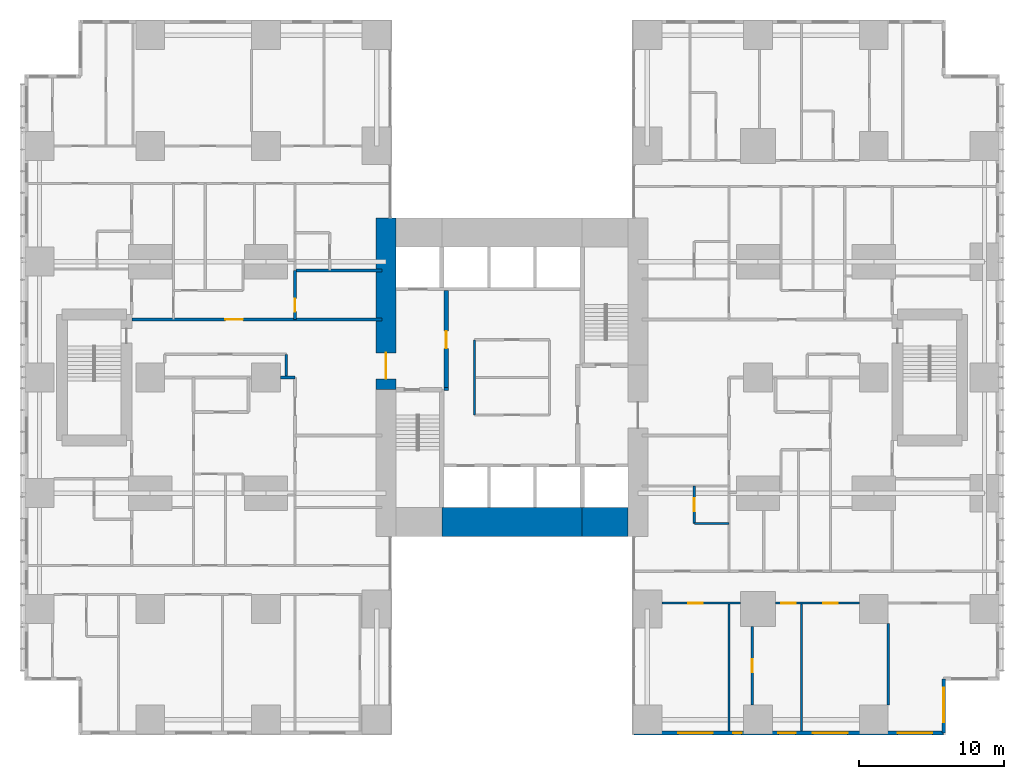
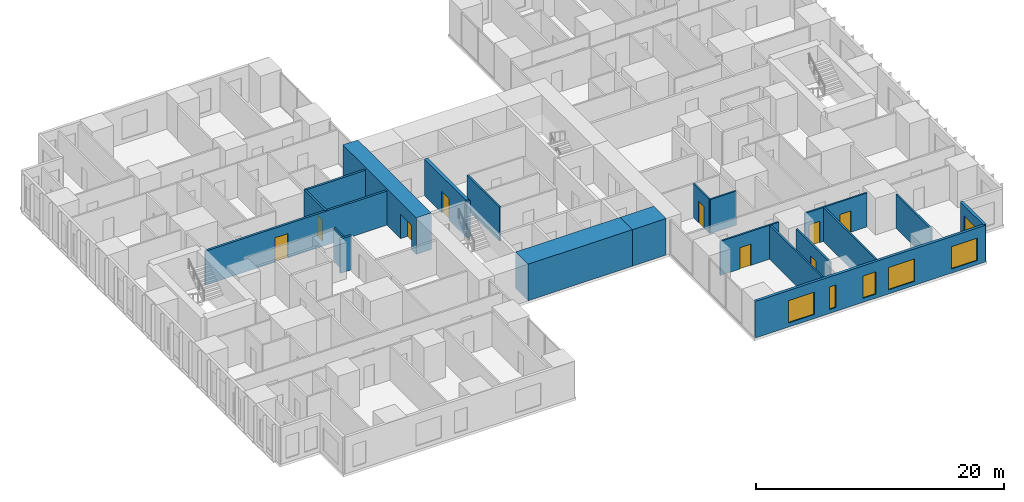
# One storey, part 14 of 20: 21 walls, 9 doors, 6 windows, 15 openings.
"""IFC4 building model written with IfcOpenShell, lengths in metres."""

from ifc_helpers import new_model, si_unit, direction, frame, frame_2d, origin, place, context, subcontext, project, spatial, rectangle, extrude, material, layer, layer_set, type_object, element, fill, save


model = new_model("IFC4")

# Units and contexts
model_context = context("Model", 3, precision=1e-05, world=origin(), true_north=direction((0.0, 1.0)))
body_context = subcontext(model_context, "Body", "Model", "MODEL_VIEW")
ifc_project = project(units=[si_unit("LENGTHUNIT", "METRE"), si_unit("AREAUNIT", "SQUARE_METRE"), si_unit("VOLUMEUNIT", "CUBIC_METRE"), si_unit("PLANEANGLEUNIT", "RADIAN"), si_unit("MASSUNIT", "GRAM", prefix="KILO")], contexts=[model_context])

# Site, building, storey
site_placement = place(None, origin())
site = spatial("IfcSite", under=ifc_project, at=site_placement, CompositionType="ELEMENT")
building_placement = place(site_placement, origin())
building = spatial("IfcBuilding", under=site, at=building_placement, Name="Cleftline Residences", CompositionType="ELEMENT")
storey_placement = place(building_placement, frame((0.0, 0.0, 146.60009765625)))
storey = spatial("IfcBuildingStorey", under=building, at=storey_placement, Name="L38", CompositionType="ELEMENT", Elevation=146.60009765625)

# Wall, opening, door
ifc_material_1 = material(Name="Concrete B70", Category="concrete")
ifc_layer_1 = layer(ifc_material_1, 1.39990234375)
ifc_layer_set_1 = layer_set([ifc_layer_1], Name="CORE WALL 1400")
wall_type_1 = type_object("IfcWallType", Name="CORE WALL 1400", PredefinedType="SHEAR", material=ifc_layer_set_1)
wall_1_placement = place(storey_placement, frame((24.300048828125, 23.14990234375, 0.0), z_axis=(0.0, 0.0, 1.0), x_axis=(0.0, 1.0, 0.0)))
wall_1 = element("IfcWall", 1, at=wall_1_placement, inside=storey, type_object=wall_type_1, Name="Core wall W", PredefinedType="SHEAR", context=body_context, shape_type="SweptSolid", body=[
    extrude(rectangle(XDim=11.85009765625, YDim=1.39990234375, at=frame_2d((5.925048828125, 0.0))), origin(), (0.0, 0.0, 1.0), 3.599853515625),
])
opening_1_placement = place(wall_1_placement, frame((0.75, 0.0, 0.0)))
opening_1 = element("IfcOpeningElement", 2, at=opening_1_placement, cuts=wall_1, Name="Opening D7", PredefinedType="OPENING", context=body_context, shape_type="SweptSolid", body=[
    extrude(rectangle(XDim=1.800048828125, YDim=2.39990234375, at=frame_2d((0.89990234375, 1.199951171875))), frame((0.0, 0.7099609375, 0.0), z_axis=(0.0, -1.0, 0.0), x_axis=(1.0, 0.0, 0.0)), (0.0, 0.0, 1.0), 1.419921875),
])
ifc_material_2 = material(Name="Steel", Category="steel")
door_type_1 = type_object("IfcDoorType", Name="WING DOOR 1800X2400", OperationType="DOUBLE_DOOR_DOUBLE_SWING", PredefinedType="DOOR", material=ifc_material_2)
door_1_placement = place(opening_1_placement, origin())
door_1 = element("IfcDoor", 3, at=door_1_placement, inside=storey, type_object=door_type_1, Name="West wing door", OperationType="DOUBLE_DOOR_DOUBLE_SWING", OverallHeight=2.39990234375, OverallWidth=1.800048828125, PredefinedType="DOOR", context=body_context, shape_type="SweptSolid", body=[
    extrude(rectangle(XDim=1.800048828125, YDim=2.39990234375, at=frame_2d((0.89990234375, 1.199951171875))), frame((0.0, 0.02490234375, 0.0), z_axis=(0.0, -1.0, 0.0), x_axis=(1.0, 0.0, 0.0)), (0.0, 0.0, 1.0), 0.050048828125),
])
fill(opening_1, door_1)

# Walls
ifc_material_3 = material(Name="Concrete B70", Category="concrete")
ifc_layer_2 = layer(ifc_material_3, 2.0)
ifc_layer_set_2 = layer_set([ifc_layer_2], Name="CORE WALL 2000")
wall_type_2 = type_object("IfcWallType", Name="CORE WALL 2000", PredefinedType="SHEAR", material=ifc_layer_set_2)
wall_2_placement = place(storey_placement, frame((28.14990234375, 14.0, 0.0), z_axis=(0.0, 0.0, 1.0), x_axis=(1.0, 0.0, 0.0)))
element("IfcWall", 4, at=wall_2_placement, inside=storey, type_object=wall_type_2, Name="Core wall S2", PredefinedType="SHEAR", context=body_context, shape_type="SweptSolid", body=[
    extrude(rectangle(XDim=9.7001953125, YDim=2.0, at=frame_2d((4.85009765625, 0.0))), origin(), (0.0, 0.0, 1.0), 3.599853515625),
])
wall_3_placement = place(storey_placement, frame((37.85009765625, 14.0, 0.0), z_axis=(0.0, 0.0, 1.0), x_axis=(1.0, 0.0, 0.0)))
element("IfcWall", 5, at=wall_3_placement, inside=storey, type_object=wall_type_2, Name="Core wall S3", PredefinedType="SHEAR", context=body_context, shape_type="SweptSolid", body=[
    extrude(rectangle(XDim=3.14990234375, YDim=2.0, at=frame_2d((1.574951171875, 0.0))), origin(), (0.0, 0.0, 1.0), 3.599853515625),
])

# Wall, openings, windows
ifc_material_4 = material(Name="Rendered reinforced concrete blockwork", Category="masonry")
ifc_layer_3 = layer(ifc_material_4, 0.25)
ifc_layer_set_3 = layer_set([ifc_layer_3], Name="EXTERNAL WALL 250")
wall_type_3 = type_object("IfcWallType", Name="EXTERNAL WALL 250", PredefinedType="SOLIDWALL", material=ifc_layer_set_3)
wall_4_placement = place(storey_placement, frame((41.425048828125, -0.574951171875, 0.0), z_axis=(0.0, 0.0, 1.0), x_axis=(1.0, 0.0, 0.0)))
wall_4 = element("IfcWall", 6, at=wall_4_placement, inside=storey, type_object=wall_type_3, Name="External wall", PredefinedType="SOLIDWALL", context=body_context, shape_type="SweptSolid", body=[
    extrude(rectangle(XDim=21.39990234375, YDim=0.25, at=frame_2d((10.699951171875, 0.0))), origin(), (0.0, 0.0, 1.0), 3.599853515625),
])
opening_2_placement = place(wall_4_placement, frame((3.050048828125, 0.0, 0.39990234375)))
opening_2 = element("IfcOpeningElement", 7, at=opening_2_placement, cuts=wall_4, Name="Opening W12", PredefinedType="OPENING", context=body_context, shape_type="SweptSolid", body=[
    extrude(rectangle(XDim=2.39990234375, YDim=2.199951171875, at=frame_2d((1.199951171875, 1.10009765625))), frame((0.0, 0.135009765625, 0.0), z_axis=(0.0, -1.0, 0.0), x_axis=(1.0, 0.0, 0.0)), (0.0, 0.0, 1.0), 0.27001953125),
])
opening_3_placement = place(wall_4_placement, frame((6.85009765625, 0.0, 0.39990234375)))
opening_3 = element("IfcOpeningElement", 8, at=opening_3_placement, cuts=wall_4, Name="Opening W10", PredefinedType="OPENING", context=body_context, shape_type="SweptSolid", body=[
    extrude(rectangle(XDim=0.60009765625, YDim=2.199951171875, at=frame_2d((0.300048828125, 1.10009765625))), frame((0.0, 0.135009765625, 0.0), z_axis=(0.0, -1.0, 0.0), x_axis=(1.0, 0.0, 0.0)), (0.0, 0.0, 1.0), 0.27001953125),
])
opening_4_placement = place(wall_4_placement, frame((9.97509765625, 0.0, 0.39990234375)))
opening_4 = element("IfcOpeningElement", 9, at=opening_4_placement, cuts=wall_4, Name="Opening W11", PredefinedType="OPENING", context=body_context, shape_type="SweptSolid", body=[
    extrude(rectangle(XDim=1.199951171875, YDim=2.199951171875, at=frame_2d((0.60009765625, 1.10009765625))), frame((0.0, 0.135009765625, 0.0), z_axis=(0.0, -1.0, 0.0), x_axis=(1.0, 0.0, 0.0)), (0.0, 0.0, 1.0), 0.27001953125),
])
opening_5_placement = place(wall_4_placement, frame((12.375, 0.0, 0.39990234375)))
opening_5 = element("IfcOpeningElement", 10, at=opening_5_placement, cuts=wall_4, Name="Opening W12", PredefinedType="OPENING", context=body_context, shape_type="SweptSolid", body=[
    extrude(rectangle(XDim=2.39990234375, YDim=2.199951171875, at=frame_2d((1.199951171875, 1.10009765625))), frame((0.0, 0.135009765625, 0.0), z_axis=(0.0, -1.0, 0.0), x_axis=(1.0, 0.0, 0.0)), (0.0, 0.0, 1.0), 0.27001953125),
])
opening_6_placement = place(wall_4_placement, frame((18.22509765625, 0.0, 0.39990234375)))
opening_6 = element("IfcOpeningElement", 11, at=opening_6_placement, cuts=wall_4, Name="Opening W12", PredefinedType="OPENING", context=body_context, shape_type="SweptSolid", body=[
    extrude(rectangle(XDim=2.39990234375, YDim=2.199951171875, at=frame_2d((1.199951171875, 1.10009765625))), frame((0.0, 0.135009765625, 0.0), z_axis=(0.0, -1.0, 0.0), x_axis=(1.0, 0.0, 0.0)), (0.0, 0.0, 1.0), 0.27001953125),
])
ifc_material_5 = material(Name="Aluminium frame, clear double glazing", Category="aluminium")
window_type_1 = type_object("IfcWindowType", Name="WINDOW 1200X2200", PartitioningType="DOUBLE_PANEL_VERTICAL", PredefinedType="WINDOW", material=ifc_material_5)
window_1_placement = place(opening_4_placement, origin())
window_1 = element("IfcWindow", 12, at=window_1_placement, inside=storey, type_object=window_type_1, Name="Window", OverallHeight=2.199951171875, OverallWidth=1.199951171875, PartitioningType="SINGLE_PANEL", PredefinedType="WINDOW", context=body_context, shape_type="SweptSolid", body=[
    extrude(rectangle(XDim=1.199951171875, YDim=2.199951171875, at=frame_2d((0.60009765625, 1.10009765625))), frame((0.0, 0.030029296875, 0.0), z_axis=(0.0, -1.0, 0.0), x_axis=(1.0, 0.0, 0.0)), (0.0, 0.0, 1.0), 0.06005859375),
])
fill(opening_4, window_1)
ifc_material_6 = material(Name="Aluminium frame, clear double glazing", Category="aluminium")
window_type_2 = type_object("IfcWindowType", Name="WINDOW 2400X2200", PartitioningType="DOUBLE_PANEL_VERTICAL", PredefinedType="WINDOW", material=ifc_material_6)
window_2_placement = place(opening_2_placement, origin())
window_2 = element("IfcWindow", 13, at=window_2_placement, inside=storey, type_object=window_type_2, Name="Window", OverallHeight=2.199951171875, OverallWidth=2.39990234375, PartitioningType="SINGLE_PANEL", PredefinedType="WINDOW", context=body_context, shape_type="SweptSolid", body=[
    extrude(rectangle(XDim=2.39990234375, YDim=2.199951171875, at=frame_2d((1.199951171875, 1.10009765625))), frame((0.0, 0.030029296875, 0.0), z_axis=(0.0, -1.0, 0.0), x_axis=(1.0, 0.0, 0.0)), (0.0, 0.0, 1.0), 0.06005859375),
])
fill(opening_2, window_2)
window_3_placement = place(opening_5_placement, origin())
window_3 = element("IfcWindow", 14, at=window_3_placement, inside=storey, type_object=window_type_2, Name="Window", OverallHeight=2.199951171875, OverallWidth=2.39990234375, PartitioningType="SINGLE_PANEL", PredefinedType="WINDOW", context=body_context, shape_type="SweptSolid", body=[
    extrude(rectangle(XDim=2.39990234375, YDim=2.199951171875, at=frame_2d((1.199951171875, 1.10009765625))), frame((0.0, 0.030029296875, 0.0), z_axis=(0.0, -1.0, 0.0), x_axis=(1.0, 0.0, 0.0)), (0.0, 0.0, 1.0), 0.06005859375),
])
fill(opening_5, window_3)
window_4_placement = place(opening_6_placement, origin())
window_4 = element("IfcWindow", 15, at=window_4_placement, inside=storey, type_object=window_type_2, Name="Window", OverallHeight=2.199951171875, OverallWidth=2.39990234375, PartitioningType="SINGLE_PANEL", PredefinedType="WINDOW", context=body_context, shape_type="SweptSolid", body=[
    extrude(rectangle(XDim=2.39990234375, YDim=2.199951171875, at=frame_2d((1.199951171875, 1.10009765625))), frame((0.0, 0.030029296875, 0.0), z_axis=(0.0, -1.0, 0.0), x_axis=(1.0, 0.0, 0.0)), (0.0, 0.0, 1.0), 0.06005859375),
])
fill(opening_6, window_4)
ifc_material_7 = material(Name="Aluminium frame, clear double glazing", Category="aluminium")
window_type_3 = type_object("IfcWindowType", Name="WINDOW 600X2200", PartitioningType="DOUBLE_PANEL_VERTICAL", PredefinedType="WINDOW", material=ifc_material_7)
window_5_placement = place(opening_3_placement, origin())
window_5 = element("IfcWindow", 16, at=window_5_placement, inside=storey, type_object=window_type_3, Name="Window", OverallHeight=2.199951171875, OverallWidth=0.60009765625, PartitioningType="SINGLE_PANEL", PredefinedType="WINDOW", context=body_context, shape_type="SweptSolid", body=[
    extrude(rectangle(XDim=0.60009765625, YDim=2.199951171875, at=frame_2d((0.300048828125, 1.10009765625))), frame((0.0, 0.030029296875, 0.0), z_axis=(0.0, -1.0, 0.0), x_axis=(1.0, 0.0, 0.0)), (0.0, 0.0, 1.0), 0.06005859375),
])
fill(opening_3, window_5)

# Wall, opening, window
wall_5_placement = place(storey_placement, frame((62.824951171875, -0.574951171875, 0.0), z_axis=(0.0, 0.0, 1.0), x_axis=(0.0, 1.0, 0.0)))
wall_5 = element("IfcWall", 17, at=wall_5_placement, inside=storey, type_object=wall_type_3, Name="External wall", PredefinedType="SOLIDWALL", context=body_context, shape_type="SweptSolid", body=[
    extrude(rectangle(XDim=3.75, YDim=0.25, at=frame_2d((1.875, 0.0))), origin(), (0.0, 0.0, 1.0), 3.599853515625),
])
opening_7_placement = place(wall_5_placement, frame((0.737548828125, 0.0, 0.39990234375)))
opening_7 = element("IfcOpeningElement", 18, at=opening_7_placement, cuts=wall_5, Name="Opening W12", PredefinedType="OPENING", context=body_context, shape_type="SweptSolid", body=[
    extrude(rectangle(XDim=2.39990234375, YDim=2.199951171875, at=frame_2d((1.199951171875, 1.10009765625))), frame((0.0, 0.135009765625, 0.0), z_axis=(0.0, -1.0, 0.0), x_axis=(1.0, 0.0, 0.0)), (0.0, 0.0, 1.0), 0.27001953125),
])
window_6_placement = place(opening_7_placement, origin())
window_6 = element("IfcWindow", 19, at=window_6_placement, inside=storey, type_object=window_type_2, Name="Window", OverallHeight=2.199951171875, OverallWidth=2.39990234375, PartitioningType="SINGLE_PANEL", PredefinedType="WINDOW", context=body_context, shape_type="SweptSolid", body=[
    extrude(rectangle(XDim=2.39990234375, YDim=2.199951171875, at=frame_2d((1.199951171875, 1.10009765625))), frame((0.0, 0.030029296875, 0.0), z_axis=(0.0, -1.0, 0.0), x_axis=(1.0, 0.0, 0.0)), (0.0, 0.0, 1.0), 0.06005859375),
])
fill(opening_7, window_6)

# Wall
ifc_material_8 = material(Name="Concrete blockwork, fire rated", Category="masonry")
ifc_layer_4 = layer(ifc_material_8, 0.199951171875)
ifc_layer_set_4 = layer_set([ifc_layer_4], Name="FIRE WALL 200")
wall_type_4 = type_object("IfcWallType", Name="FIRE WALL 200", PredefinedType="PARTITIONING", material=ifc_layer_set_4)
wall_6_placement = place(storey_placement, frame((17.0, 24.0, 0.0), z_axis=(0.0, 0.0, 1.0), x_axis=(1.0, 0.0, 0.0)))
element("IfcWall", 20, at=wall_6_placement, inside=storey, type_object=wall_type_4, Name="Fire separating wall", PredefinedType="PARTITIONING", context=body_context, shape_type="SweptSolid", body=[
    extrude(rectangle(XDim=1.0, YDim=0.199951171875, at=frame_2d((0.5, 0.0))), origin(), (0.0, 0.0, 1.0), 3.349853515625),
])

# Wall, opening, door
wall_7_placement = place(storey_placement, frame((6.72509765625, 28.0, 0.0), z_axis=(0.0, 0.0, 1.0), x_axis=(1.0, 0.0, 0.0)))
wall_7 = element("IfcWall", 21, at=wall_7_placement, inside=storey, type_object=wall_type_4, Name="Fire separating wall", PredefinedType="PARTITIONING", context=body_context, shape_type="SweptSolid", body=[
    extrude(rectangle(XDim=17.27490234375, YDim=0.199951171875, at=frame_2d((8.637451171875, 0.0))), origin(), (0.0, 0.0, 1.0), 3.349853515625),
])
opening_8_placement = place(wall_7_placement, frame((6.47509765625, 0.0, 0.0)))
opening_8 = element("IfcOpeningElement", 22, at=opening_8_placement, cuts=wall_7, Name="Opening D4", PredefinedType="OPENING", context=body_context, shape_type="SweptSolid", body=[
    extrude(rectangle(XDim=1.199951171875, YDim=2.39990234375, at=frame_2d((0.60009765625, 1.199951171875))), frame((0.0, 0.10986328125, 0.0), z_axis=(0.0, -1.0, 0.0), x_axis=(1.0, 0.0, 0.0)), (0.0, 0.0, 1.0), 0.219970703125),
])
ifc_material_9 = material(Name="Timber veneer on solid core", Category="wood")
door_type_2 = type_object("IfcDoorType", Name="APARTMENT ENTRANCE DOOR 1200X2400", OperationType="SINGLE_SWING_RIGHT", PredefinedType="DOOR", material=ifc_material_9)
door_2_placement = place(opening_8_placement, origin())
door_2 = element("IfcDoor", 23, at=door_2_placement, inside=storey, type_object=door_type_2, Name="Door to residence entrance foyer", OperationType="SINGLE_SWING_RIGHT", OverallHeight=2.39990234375, OverallWidth=1.199951171875, PredefinedType="DOOR", context=body_context, shape_type="SweptSolid", body=[
    extrude(rectangle(XDim=1.199951171875, YDim=2.39990234375, at=frame_2d((0.60009765625, 1.199951171875))), frame((0.0, 0.02490234375, 0.0), z_axis=(0.0, -1.0, 0.0), x_axis=(1.0, 0.0, 0.0)), (0.0, 0.0, 1.0), 0.050048828125),
])
fill(opening_8, door_2)

# Wall
wall_8_placement = place(storey_placement, frame((18.0, 31.39990234375, 0.0), z_axis=(0.0, 0.0, 1.0), x_axis=(1.0, 0.0, 0.0)))
element("IfcWall", 24, at=wall_8_placement, inside=storey, type_object=wall_type_4, Name="Fire separating wall", PredefinedType="PARTITIONING", context=body_context, shape_type="SweptSolid", body=[
    extrude(rectangle(XDim=6.0, YDim=0.199951171875, at=frame_2d((3.0, 0.0))), origin(), (0.0, 0.0, 1.0), 3.349853515625),
])

# Wall, opening, door
wall_9_placement = place(storey_placement, frame((18.0, 28.0, 0.0), z_axis=(0.0, 0.0, 1.0), x_axis=(0.0, 1.0, 0.0)))
wall_9 = element("IfcWall", 25, at=wall_9_placement, inside=storey, type_object=wall_type_4, Name="Fire separating wall", PredefinedType="PARTITIONING", context=body_context, shape_type="SweptSolid", body=[
    extrude(rectangle(XDim=3.39990234375, YDim=0.199951171875, at=frame_2d((1.699951171875, 0.0))), origin(), (0.0, 0.0, 1.0), 3.349853515625),
])
opening_9_placement = place(wall_9_placement, frame((0.550048828125, 0.0, 0.0)))
opening_9 = element("IfcOpeningElement", 26, at=opening_9_placement, cuts=wall_9, Name="Opening D1F30", PredefinedType="OPENING", context=body_context, shape_type="SweptSolid", body=[
    extrude(rectangle(XDim=0.89990234375, YDim=2.10009765625, at=frame_2d((0.449951171875, 1.050048828125))), frame((0.0, 0.10986328125, 0.0), z_axis=(0.0, -1.0, 0.0), x_axis=(1.0, 0.0, 0.0)), (0.0, 0.0, 1.0), 0.219970703125),
])
ifc_material_10 = material(Name="Timber veneer on solid core", Category="wood")
door_type_3 = type_object("IfcDoorType", Name="DOOR 900X2100 EI 30", OperationType="SINGLE_SWING_LEFT", PredefinedType="DOOR", material=ifc_material_10)
door_3_placement = place(opening_9_placement, origin())
door_3 = element("IfcDoor", 27, at=door_3_placement, inside=storey, type_object=door_type_3, Name="Door to drying loggia and wc", OperationType="SINGLE_SWING_RIGHT", OverallHeight=2.10009765625, OverallWidth=0.89990234375, PredefinedType="DOOR", context=body_context, shape_type="SweptSolid", body=[
    extrude(rectangle(XDim=0.89990234375, YDim=2.10009765625, at=frame_2d((0.449951171875, 1.050048828125))), frame((0.0, 0.02490234375, 0.0), z_axis=(0.0, -1.0, 0.0), x_axis=(1.0, 0.0, 0.0)), (0.0, 0.0, 1.0), 0.050048828125),
])
fill(opening_9, door_3)

# Wall
wall_10_placement = place(storey_placement, frame((28.300048828125, 23.199951171875, 0.0), z_axis=(0.0, 0.0, 1.0), x_axis=(1.0, 0.0, 0.0)))
element("IfcWall", 28, at=wall_10_placement, inside=storey, type_object=wall_type_4, Name="Fire separating wall", PredefinedType="PARTITIONING", context=body_context, shape_type="SweptSolid", body=[
    extrude(rectangle(XDim=0.300048828125, YDim=0.199951171875, at=frame_2d((0.14990234375, 0.0))), origin(), (0.0, 0.0, 1.0), 3.599853515625),
])

# Wall, opening, door
ifc_material_11 = material(Name="Gypsum board on steel studs", Category="steel")
ifc_layer_5 = layer(ifc_material_11, 0.14990234375)
ifc_layer_set_5 = layer_set([ifc_layer_5], Name="PARTITION 150")
wall_type_5 = type_object("IfcWallType", Name="PARTITION 150", PredefinedType="PARTITIONING", material=ifc_layer_set_5)
wall_11_placement = place(storey_placement, frame((43.35009765625, 8.39990234375, 0.0), z_axis=(0.0, 0.0, 1.0), x_axis=(1.0, 0.0, 0.0)))
wall_11 = element("IfcWall", 29, at=wall_11_placement, inside=storey, type_object=wall_type_5, Name="Partition", PredefinedType="PARTITIONING", context=body_context, shape_type="SweptSolid", body=[
    extrude(rectangle(XDim=5.449951171875, YDim=0.14990234375, at=frame_2d((2.72509765625, 0.0))), origin(), (0.0, 0.0, 1.0), 3.349853515625),
])
opening_10_placement = place(wall_11_placement, frame((1.824951171875, 0.0, 0.0)))
opening_10 = element("IfcOpeningElement", 30, at=opening_10_placement, cuts=wall_11, Name="Opening D2", PredefinedType="OPENING", context=body_context, shape_type="SweptSolid", body=[
    extrude(rectangle(XDim=1.0, YDim=2.10009765625, at=frame_2d((0.5, 1.050048828125))), frame((0.0, 0.0849609375, 0.0), z_axis=(0.0, -1.0, 0.0), x_axis=(1.0, 0.0, 0.0)), (0.0, 0.0, 1.0), 0.169921875),
])
ifc_material_12 = material(Name="Timber veneer on solid core", Category="wood")
door_type_4 = type_object("IfcDoorType", Name="DOOR 1000X2100", OperationType="SINGLE_SWING_LEFT", PredefinedType="DOOR", material=ifc_material_12)
door_4_placement = place(opening_10_placement, origin())
door_4 = element("IfcDoor", 31, at=door_4_placement, inside=storey, type_object=door_type_4, Name="Door to breakfast room", OperationType="SINGLE_SWING_RIGHT", OverallHeight=2.10009765625, OverallWidth=1.0, PredefinedType="DOOR", context=body_context, shape_type="SweptSolid", body=[
    extrude(rectangle(XDim=1.0, YDim=2.10009765625, at=frame_2d((0.5, 1.050048828125))), frame((0.0, 0.02490234375, 0.0), z_axis=(0.0, -1.0, 0.0), x_axis=(1.0, 0.0, 0.0)), (0.0, 0.0, 1.0), 0.050048828125),
])
fill(opening_10, door_4)

# Wall, openings, doors
wall_12_placement = place(storey_placement, frame((51.199951171875, 8.39990234375, 0.0), z_axis=(0.0, 0.0, 1.0), x_axis=(1.0, 0.0, 0.0)))
wall_12 = element("IfcWall", 32, at=wall_12_placement, inside=storey, type_object=wall_type_5, Name="Partition", PredefinedType="PARTITIONING", context=body_context, shape_type="SweptSolid", body=[
    extrude(rectangle(XDim=5.800048828125, YDim=0.14990234375, at=frame_2d((2.89990234375, 0.0))), origin(), (0.0, 0.0, 1.0), 3.349853515625),
])
opening_11_placement = place(wall_12_placement, frame((3.300048828125, 0.0, 0.0)))
opening_11 = element("IfcOpeningElement", 33, at=opening_11_placement, cuts=wall_12, Name="Opening D2", PredefinedType="OPENING", context=body_context, shape_type="SweptSolid", body=[
    extrude(rectangle(XDim=1.0, YDim=2.10009765625, at=frame_2d((0.5, 1.050048828125))), frame((0.0, 0.0849609375, 0.0), z_axis=(0.0, -1.0, 0.0), x_axis=(1.0, 0.0, 0.0)), (0.0, 0.0, 1.0), 0.169921875),
])
opening_12_placement = place(wall_12_placement, frame((0.39990234375, 0.0, 0.0)))
opening_12 = element("IfcOpeningElement", 34, at=opening_12_placement, cuts=wall_12, Name="Opening D2", PredefinedType="OPENING", context=body_context, shape_type="SweptSolid", body=[
    extrude(rectangle(XDim=1.0, YDim=2.10009765625, at=frame_2d((0.5, 1.050048828125))), frame((0.0, 0.0849609375, 0.0), z_axis=(0.0, -1.0, 0.0), x_axis=(1.0, 0.0, 0.0)), (0.0, 0.0, 1.0), 0.169921875),
])
door_5_placement = place(opening_11_placement, origin())
door_5 = element("IfcDoor", 35, at=door_5_placement, inside=storey, type_object=door_type_4, Name="Door to dining room", OperationType="SINGLE_SWING_LEFT", OverallHeight=2.10009765625, OverallWidth=1.0, PredefinedType="DOOR", context=body_context, shape_type="SweptSolid", body=[
    extrude(rectangle(XDim=1.0, YDim=2.10009765625, at=frame_2d((0.5, 1.050048828125))), frame((0.0, 0.02490234375, 0.0), z_axis=(0.0, -1.0, 0.0), x_axis=(1.0, 0.0, 0.0)), (0.0, 0.0, 1.0), 0.050048828125),
])
fill(opening_11, door_5)
door_6_placement = place(opening_12_placement, origin())
door_6 = element("IfcDoor", 36, at=door_6_placement, inside=storey, type_object=door_type_4, Name="Door to show kitchen", OperationType="SINGLE_SWING_RIGHT", OverallHeight=2.10009765625, OverallWidth=1.0, PredefinedType="DOOR", context=body_context, shape_type="SweptSolid", body=[
    extrude(rectangle(XDim=1.0, YDim=2.10009765625, at=frame_2d((0.5, 1.050048828125))), frame((0.0, 0.02490234375, 0.0), z_axis=(0.0, -1.0, 0.0), x_axis=(1.0, 0.0, 0.0)), (0.0, 0.0, 1.0), 0.050048828125),
])
fill(opening_12, door_6)

# Walls
wall_13_placement = place(storey_placement, frame((45.60009765625, 13.89990234375, 0.0), z_axis=(0.0, 0.0, 1.0), x_axis=(1.0, 0.0, 0.0)))
element("IfcWall", 37, at=wall_13_placement, inside=storey, type_object=wall_type_5, Name="Partition", PredefinedType="PARTITIONING", context=body_context, shape_type="SweptSolid", body=[
    extrude(rectangle(XDim=2.39990234375, YDim=0.14990234375, at=frame_2d((1.199951171875, 0.0))), origin(), (0.0, 0.0, 1.0), 3.349853515625),
])
wall_14_placement = place(storey_placement, frame((17.39990234375, 24.0, 0.0), z_axis=(0.0, 0.0, 1.0), x_axis=(0.0, 1.0, 0.0)))
element("IfcWall", 38, at=wall_14_placement, inside=storey, type_object=wall_type_5, Name="Partition", PredefinedType="PARTITIONING", context=body_context, shape_type="SweptSolid", body=[
    extrude(rectangle(XDim=1.60009765625, YDim=0.14990234375, at=frame_2d((0.800048828125, 0.0))), origin(), (0.0, 0.0, 1.0), 3.349853515625),
])

# Wall, opening, door
wall_15_placement = place(storey_placement, frame((45.60009765625, 13.89990234375, 0.0), z_axis=(0.0, 0.0, 1.0), x_axis=(0.0, 1.0, 0.0)))
wall_15 = element("IfcWall", 39, at=wall_15_placement, inside=storey, type_object=wall_type_5, Name="Partition", PredefinedType="PARTITIONING", context=body_context, shape_type="SweptSolid", body=[
    extrude(rectangle(XDim=2.60009765625, YDim=0.14990234375, at=frame_2d((1.300048828125, 0.0))), origin(), (0.0, 0.0, 1.0), 3.349853515625),
])
opening_13_placement = place(wall_15_placement, frame((0.85009765625, 0.0, 0.0)))
opening_13 = element("IfcOpeningElement", 40, at=opening_13_placement, cuts=wall_15, Name="Opening D1", PredefinedType="OPENING", context=body_context, shape_type="SweptSolid", body=[
    extrude(rectangle(XDim=0.89990234375, YDim=2.10009765625, at=frame_2d((0.449951171875, 1.050048828125))), frame((0.0, 0.0849609375, 0.0), z_axis=(0.0, -1.0, 0.0), x_axis=(1.0, 0.0, 0.0)), (0.0, 0.0, 1.0), 0.169921875),
])
ifc_material_13 = material(Name="Timber veneer on solid core", Category="wood")
door_type_5 = type_object("IfcDoorType", Name="DOOR 900X2100", OperationType="SINGLE_SWING_LEFT", PredefinedType="DOOR", material=ifc_material_13)
door_7_placement = place(opening_13_placement, origin())
door_7 = element("IfcDoor", 41, at=door_7_placement, inside=storey, type_object=door_type_5, Name="Door to staff shower room", OperationType="SINGLE_SWING_LEFT", OverallHeight=2.10009765625, OverallWidth=0.89990234375, PredefinedType="DOOR", context=body_context, shape_type="SweptSolid", body=[
    extrude(rectangle(XDim=0.89990234375, YDim=2.10009765625, at=frame_2d((0.449951171875, 1.050048828125))), frame((0.0, 0.02490234375, 0.0), z_axis=(0.0, -1.0, 0.0), x_axis=(1.0, 0.0, 0.0)), (0.0, 0.0, 1.0), 0.050048828125),
])
fill(opening_13, door_7)

# Wall
wall_16_placement = place(storey_placement, frame((48.0, -0.449951171875, 0.0), z_axis=(0.0, 0.0, 1.0), x_axis=(0.0, 1.0, 0.0)))
element("IfcWall", 42, at=wall_16_placement, inside=storey, type_object=wall_type_5, Name="Partition", PredefinedType="PARTITIONING", context=body_context, shape_type="SweptSolid", body=[
    extrude(rectangle(XDim=8.849853515625, YDim=0.14990234375, at=frame_2d((4.4248046875, 0.0))), origin(), (0.0, 0.0, 1.0), 3.349853515625),
])

# Wall, opening, door
wall_17_placement = place(storey_placement, frame((49.60009765625, 1.35009765625, 0.0), z_axis=(0.0, 0.0, 1.0), x_axis=(0.0, 1.0, 0.0)))
wall_17 = element("IfcWall", 43, at=wall_17_placement, inside=storey, type_object=wall_type_5, Name="Partition", PredefinedType="PARTITIONING", context=body_context, shape_type="SweptSolid", body=[
    extrude(rectangle(XDim=5.449951171875, YDim=0.14990234375, at=frame_2d((2.72509765625, 0.0))), origin(), (0.0, 0.0, 1.0), 3.349853515625),
])
opening_14_placement = place(wall_17_placement, frame((2.27490234375, 0.0, 0.0)))
opening_14 = element("IfcOpeningElement", 44, at=opening_14_placement, cuts=wall_17, Name="Opening D1", PredefinedType="OPENING", context=body_context, shape_type="SweptSolid", body=[
    extrude(rectangle(XDim=0.89990234375, YDim=2.10009765625, at=frame_2d((0.449951171875, 1.050048828125))), frame((0.0, 0.0849609375, 0.0), z_axis=(0.0, -1.0, 0.0), x_axis=(1.0, 0.0, 0.0)), (0.0, 0.0, 1.0), 0.169921875),
])
door_8_placement = place(opening_14_placement, origin())
door_8 = element("IfcDoor", 45, at=door_8_placement, inside=storey, type_object=door_type_5, Name="Door to larder", OperationType="SINGLE_SWING_LEFT", OverallHeight=2.10009765625, OverallWidth=0.89990234375, PredefinedType="DOOR", context=body_context, shape_type="SweptSolid", body=[
    extrude(rectangle(XDim=0.89990234375, YDim=2.10009765625, at=frame_2d((0.449951171875, 1.050048828125))), frame((0.0, 0.02490234375, 0.0), z_axis=(0.0, -1.0, 0.0), x_axis=(1.0, 0.0, 0.0)), (0.0, 0.0, 1.0), 0.050048828125),
])
fill(opening_14, door_8)

# Walls
wall_18_placement = place(storey_placement, frame((53.0, -0.449951171875, 0.0), z_axis=(0.0, 0.0, 1.0), x_axis=(0.0, 1.0, 0.0)))
element("IfcWall", 46, at=wall_18_placement, inside=storey, type_object=wall_type_5, Name="Partition", PredefinedType="PARTITIONING", context=body_context, shape_type="SweptSolid", body=[
    extrude(rectangle(XDim=8.849853515625, YDim=0.14990234375, at=frame_2d((4.4248046875, 0.0))), origin(), (0.0, 0.0, 1.0), 3.349853515625),
])
wall_19_placement = place(storey_placement, frame((59.0, 1.35009765625, 0.0), z_axis=(0.0, 0.0, 1.0), x_axis=(0.0, 1.0, 0.0)))
element("IfcWall", 47, at=wall_19_placement, inside=storey, type_object=wall_type_5, Name="Partition", PredefinedType="PARTITIONING", context=body_context, shape_type="SweptSolid", body=[
    extrude(rectangle(XDim=5.64990234375, YDim=0.14990234375, at=frame_2d((2.824951171875, 0.0))), origin(), (0.0, 0.0, 1.0), 3.349853515625),
])
ifc_material_14 = material(Name="Fire-resisting gypsum board on steel studs", Category="steel")
ifc_layer_6 = layer(ifc_material_14, 0.14990234375)
ifc_layer_set_6 = layer_set([ifc_layer_6], Name="PARTITION 150 EI 60")
wall_type_6 = type_object("IfcWallType", Name="PARTITION 150 EI 60", PredefinedType="PARTITIONING", material=ifc_layer_set_6)
wall_20_placement = place(storey_placement, frame((30.39990234375, 21.39990234375, 0.0), z_axis=(0.0, 0.0, 1.0), x_axis=(0.0, 1.0, 0.0)))
element("IfcWall", 48, at=wall_20_placement, inside=storey, type_object=wall_type_6, Name="Core room partition", PredefinedType="PARTITIONING", context=body_context, shape_type="SweptSolid", body=[
    extrude(rectangle(XDim=5.2001953125, YDim=0.14990234375, at=frame_2d((2.60009765625, 0.0))), origin(), (0.0, 0.0, 1.0), 3.349853515625),
])

# Wall, opening, door
ifc_material_15 = material(Name="Concrete blockwork, fire rated", Category="masonry")
ifc_layer_7 = layer(ifc_material_15, 0.300048828125)
ifc_layer_set_7 = layer_set([ifc_layer_7], Name="STAIR LOBBY WALL 300")
wall_type_7 = type_object("IfcWallType", Name="STAIR LOBBY WALL 300", PredefinedType="PARTITIONING", material=ifc_layer_set_7)
wall_21_placement = place(storey_placement, frame((28.449951171875, 23.300048828125, 0.0), z_axis=(0.0, 0.0, 1.0), x_axis=(0.0, 1.0, 0.0)))
wall_21 = element("IfcWall", 49, at=wall_21_placement, inside=storey, type_object=wall_type_7, Name="Stair and lobby wall FA-E", PredefinedType="PARTITIONING", context=body_context, shape_type="SweptSolid", body=[
    extrude(rectangle(XDim=6.699951171875, YDim=0.300048828125, at=frame_2d((3.35009765625, 0.0))), origin(), (0.0, 0.0, 1.0), 3.599853515625),
])
opening_15_placement = place(wall_21_placement, frame((2.699951171875, 0.0, 0.0)))
opening_15 = element("IfcOpeningElement", 50, at=opening_15_placement, cuts=wall_21, Name="Opening D6", PredefinedType="OPENING", context=body_context, shape_type="SweptSolid", body=[
    extrude(rectangle(XDim=1.199951171875, YDim=2.10009765625, at=frame_2d((0.60009765625, 1.050048828125))), frame((0.0, 0.159912109375, 0.0), z_axis=(0.0, -1.0, 0.0), x_axis=(1.0, 0.0, 0.0)), (0.0, 0.0, 1.0), 0.320068359375),
])
ifc_material_16 = material(Name="Steel", Category="steel")
door_type_6 = type_object("IfcDoorType", Name="LOBBY DOOR 1200X2100", OperationType="SINGLE_SWING_RIGHT", PredefinedType="DOOR", material=ifc_material_16)
door_9_placement = place(opening_15_placement, origin())
door_9 = element("IfcDoor", 51, at=door_9_placement, inside=storey, type_object=door_type_6, Name="Firefighting lobby A door", OperationType="SINGLE_SWING_RIGHT", OverallHeight=2.10009765625, OverallWidth=1.199951171875, PredefinedType="DOOR", context=body_context, shape_type="SweptSolid", body=[
    extrude(rectangle(XDim=1.199951171875, YDim=2.10009765625, at=frame_2d((0.60009765625, 1.050048828125))), frame((0.0, 0.02490234375, 0.0), z_axis=(0.0, -1.0, 0.0), x_axis=(1.0, 0.0, 0.0)), (0.0, 0.0, 1.0), 0.050048828125),
])
fill(opening_15, door_9)

save(model, "model.ifc")
